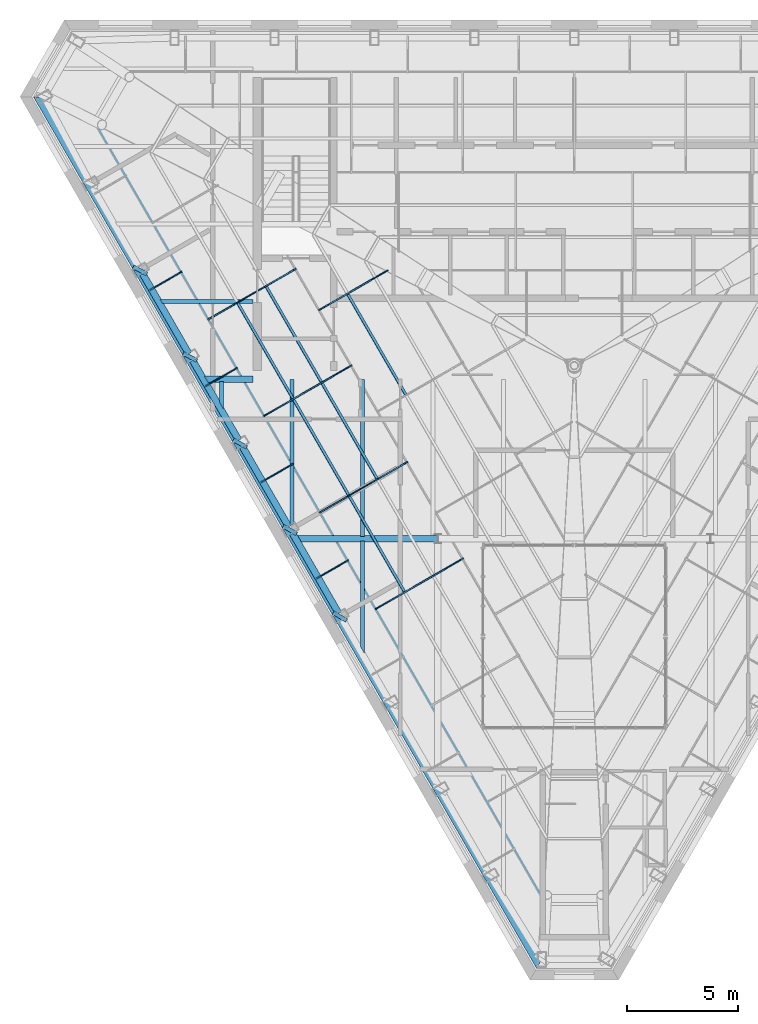
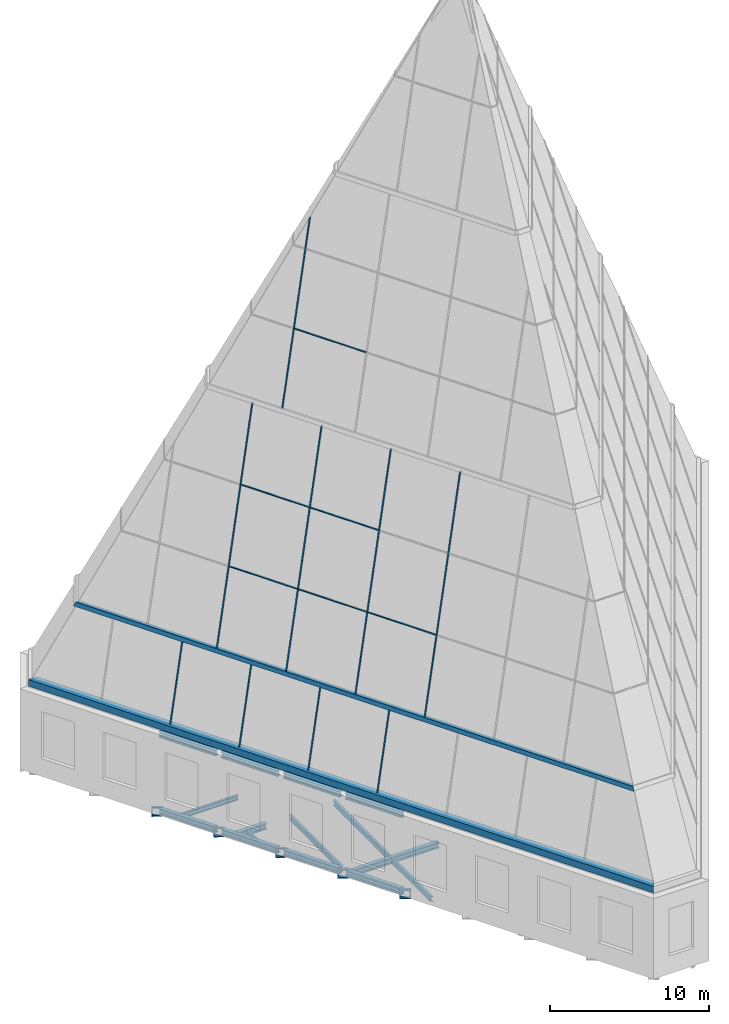
# One storey, part 9 of 36: 20 beams, 17 members, 3 elements without a shape of their own.
"""IFC4 building model written with IfcOpenShell, lengths in metres."""

from ifc_helpers import new_model, si_unit, direction, frame, origin, origin_2d, place, context, subcontext, project, spatial, rectangle, hollow_rectangle, i_section, extrude, clip, halfspace, material, layer, layer_set, material_profile, profile_set, type_object, element, aggregate, save


model = new_model("IFC4")

# Units and contexts
model_context = context("Model", 3, precision=1e-05, world=origin(), true_north=direction((0.0, 1.0)))
body_context = subcontext(model_context, "Body", "Model", "MODEL_VIEW")
ifc_project = project(units=[si_unit("LENGTHUNIT", "METRE"), si_unit("AREAUNIT", "SQUARE_METRE"), si_unit("VOLUMEUNIT", "CUBIC_METRE"), si_unit("PLANEANGLEUNIT", "RADIAN"), si_unit("MASSUNIT", "GRAM", prefix="KILO")], contexts=[model_context])

# Site, building, storey
site_placement = place(None, origin())
site = spatial("IfcSite", under=ifc_project, at=site_placement, CompositionType="ELEMENT")
building_placement = place(site_placement, origin())
building = spatial("IfcBuilding", under=site, at=building_placement, Name="Njiva Tower", CompositionType="ELEMENT")
storey_placement = place(building_placement, frame((0.0, 0.0, 337.8)))
storey = spatial("IfcBuildingStorey", under=building, at=storey_placement, Name="L77", CompositionType="ELEMENT", Elevation=337.8)

# Beams
ifc_material_1 = material(Name="Steel S355 J2", Category="steel")
ifc_material_profile_1 = material_profile(ifc_material_1, hollow_rectangle(XDim=0.7, YDim=0.7, WallThickness=0.08, at=origin_2d()), Name="BOX 700x700x80")
ifc_profile_set_1 = profile_set([ifc_material_profile_1], Name="Steel S355 J2")
beam_type_1 = type_object("IfcBeamType", Name="B19 Column jog beam BOX 700x700x80", PredefinedType="BEAM", material=ifc_profile_set_1)
for number, where, z_axis, x_axis, name in (
    (1, (-19.623, 8.825, -0.55), (0.465278652081, 0.885164264935, 0.0), (-0.885164264935, 0.465278652081, 0.0), "Column jog beam CR-B015"),
    (2, (-17.369, 4.922, -0.55), (0.465278652081, 0.885164264935, 0.0), (-0.885164264935, 0.465278652081, 0.0), "Column jog beam CR-B016"),
):
    element("IfcBeam", number, at=place(storey_placement, frame(where, z_axis=z_axis, x_axis=x_axis)), inside=storey, type_object=beam_type_1, Name=name, PredefinedType="BEAM", context=body_context, shape_type="SweptSolid", body=[
        extrude(hollow_rectangle(XDim=0.7, YDim=0.7, WallThickness=0.08, at=origin_2d()), origin(), (0.0, 0.0, 1.0), 0.1762),
    ])
beam_1_placement = place(storey_placement, frame((-15.117, 1.021, -0.55), z_axis=(0.48807872801, 0.872799607736, 0.0), x_axis=(-0.872799607736, 0.48807872801, 0.0)))
element("IfcBeam", 3, at=beam_1_placement, inside=storey, type_object=beam_type_1, Name="Column jog beam CR-B017", PredefinedType="BEAM", context=body_context, shape_type="SweptSolid", body=[
    extrude(hollow_rectangle(XDim=0.7, YDim=0.7, WallThickness=0.08, at=origin_2d()), origin(), (0.0, 0.0, 1.0), 0.1742),
])
for number, where, z_axis, x_axis, name in (
    (4, (-12.866, -2.882, -0.55), (0.511983827129, 0.858995087738, 0.0), (-0.858995087738, 0.511983827129, 0.0), "Column jog beam CR-B018"),
    (5, (-10.612, -6.785, -0.55), (0.511983827129, 0.858995087738, 0.0), (-0.858995087738, 0.511983827129, 0.0), "Column jog beam CR-B019"),
):
    element("IfcBeam", number, at=place(storey_placement, frame(where, z_axis=z_axis, x_axis=x_axis)), inside=storey, type_object=beam_type_1, Name=name, PredefinedType="BEAM", context=body_context, shape_type="SweptSolid", body=[
        extrude(hollow_rectangle(XDim=0.7, YDim=0.7, WallThickness=0.08, at=origin_2d()), origin(), (0.0, 0.0, 1.0), 0.1758),
    ])
ifc_material_profile_2 = material_profile(ifc_material_1, i_section(OverallWidth=0.3, OverallDepth=0.44, WebThickness=0.0115, FlangeThickness=0.021, at=origin_2d()), Name="HEA 450")
ifc_profile_set_2 = profile_set([ifc_material_profile_2], Name="Steel S355 J2")
beam_type_2 = type_object("IfcBeamType", Name="B57 Short-span spandrel beam HEA 450", PredefinedType="SPANDREL", material=ifc_profile_set_2)
beam_2_placement = place(storey_placement, frame((-19.466, 8.751, -0.42), z_axis=(0.49999308822, -0.866029394266, 0.0), x_axis=(0.866029394266, 0.49999308822, 0.0)))
element("IfcBeam", 6, at=beam_2_placement, inside=storey, type_object=beam_type_2, Name="Short-span spandrel beam CR-B091", PredefinedType="SPANDREL", context=body_context, shape_type="SweptSolid", body=[
    extrude(i_section(OverallWidth=0.3, OverallDepth=0.44, WebThickness=0.0115, FlangeThickness=0.021, at=origin_2d()), origin(), (0.0, 0.0, 1.0), 4.1581),
])
beam_3_placement = place(storey_placement, frame((-17.212, 4.847, -0.42), z_axis=(0.500021003115, -0.866013277291, 0.0), x_axis=(0.866013277291, 0.500021003115, 0.0)))
element("IfcBeam", 7, at=beam_3_placement, inside=storey, type_object=beam_type_2, Name="Short-span spandrel beam CR-B093", PredefinedType="SPANDREL", context=body_context, shape_type="SweptSolid", body=[
    extrude(i_section(OverallWidth=0.3, OverallDepth=0.44, WebThickness=0.0115, FlangeThickness=0.021, at=origin_2d()), origin(), (0.0, 0.0, 1.0), 4.1558),
])
for number, where, z_axis, x_axis, name in (
    (8, (-14.959, 0.945, -0.42), (0.499916824138, -0.866073420066, 0.0), (0.866073420066, 0.499916824138, 0.0), "Short-span spandrel beam CR-B094"),
    (9, (-12.706, -2.958, -0.42), (0.499916824138, -0.866073420066, 0.0), (0.866073420066, 0.499916824138, 0.0), "Short-span spandrel beam CR-B096"),
):
    element("IfcBeam", number, at=place(storey_placement, frame(where, z_axis=z_axis, x_axis=x_axis)), inside=storey, type_object=beam_type_2, Name=name, PredefinedType="SPANDREL", context=body_context, shape_type="SweptSolid", body=[
        extrude(i_section(OverallWidth=0.3, OverallDepth=0.44, WebThickness=0.0115, FlangeThickness=0.021, at=origin_2d()), origin(), (0.0, 0.0, 1.0), 4.1567),
    ])
ifc_material_profile_3 = material_profile(ifc_material_1, i_section(OverallWidth=0.3, OverallDepth=0.44, WebThickness=0.0115, FlangeThickness=0.021, at=origin_2d()), Name="HEA 450")
ifc_profile_set_3 = profile_set([ifc_material_profile_3], Name="Steel S355 J2")
beam_type_3 = type_object("IfcBeamType", Name="B58 Floor girder HEA 450", PredefinedType="BEAM", material=ifc_profile_set_3)
beam_4_placement = place(storey_placement, frame((-12.558, -3.2, -0.42), z_axis=(1.0, 0.0, 0.0), x_axis=(0.0, 1.0, 0.0)))
element("IfcBeam", 10, at=beam_4_placement, inside=storey, type_object=beam_type_3, Name="Floor girder CR-B010", PredefinedType="BEAM", context=body_context, shape_type="Clipping", body=[
    clip(extrude(i_section(OverallWidth=0.3, OverallDepth=0.44, WebThickness=0.0115, FlangeThickness=0.021, at=origin_2d()), origin(), (0.0, 0.0, 1.0), 6.408), halfspace(frame((-0.025, 0.0, 0.1217), z_axis=(-0.499998009787, 0.0, -0.866026552831), x_axis=(0.0, -1.0, 0.0)), False)),
])
ifc_material_profile_4 = material_profile(ifc_material_1, i_section(OverallWidth=0.3, OverallDepth=0.44, WebThickness=0.0115, FlangeThickness=0.021, at=origin_2d()), Name="HEA 450")
ifc_profile_set_4 = profile_set([ifc_material_profile_4], Name="Steel S355 J2")
beam_type_4 = type_object("IfcBeamType", Name="B59 Short-span floor girder HEA 450", PredefinedType="BEAM", material=ifc_profile_set_4)
beam_5_placement = place(storey_placement, frame((-16.715, 4.0, -0.42), z_axis=(1.0, 0.0, 0.0), x_axis=(0.0, 1.0, 0.0)))
element("IfcBeam", 11, at=beam_5_placement, inside=storey, type_object=beam_type_4, Name="Short-span floor girder CR-B009", PredefinedType="BEAM", context=body_context, shape_type="Clipping", body=[
    clip(extrude(i_section(OverallWidth=0.3, OverallDepth=0.44, WebThickness=0.0115, FlangeThickness=0.021, at=origin_2d()), origin(), (0.0, 0.0, 1.0), 2.215), halfspace(frame((-0.025, 0.0, 0.1217), z_axis=(-0.499998009787, 0.0, -0.866026552831), x_axis=(0.0, -1.0, 0.0)), False)),
])
ifc_material_profile_5 = material_profile(ifc_material_1, i_section(OverallWidth=0.17, OverallDepth=0.36, WebThickness=0.008, FlangeThickness=0.0127, at=origin_2d()), Name="IPE 360")
ifc_profile_set_5 = profile_set([ifc_material_profile_5], Name="Steel S355 J2")
beam_type_5 = type_object("IfcBeamType", Name="B60 Short-span floor beam to the core IPE 360", PredefinedType="BEAM", material=ifc_profile_set_5)
beam_6_placement = place(storey_placement, frame((-18.697, 7.5, -0.38), z_axis=(1.0, 0.0, 0.0), x_axis=(0.0, 1.0, 0.0)))
element("IfcBeam", 12, at=beam_6_placement, inside=storey, type_object=beam_type_5, Name="Short-span floor beam to the core CR-B004", PredefinedType="BEAM", context=body_context, shape_type="Clipping", body=[
    clip(extrude(i_section(OverallWidth=0.17, OverallDepth=0.36, WebThickness=0.008, FlangeThickness=0.0127, at=origin_2d()), origin(), (0.0, 0.0, 1.0), 4.197), halfspace(frame((-0.025, 0.0, 0.083), z_axis=(-0.499998009787, 0.0, -0.866026552831), x_axis=(0.0, -1.0, 0.0)), False)),
])
ifc_material_profile_6 = material_profile(ifc_material_1, i_section(OverallWidth=0.18, OverallDepth=0.4, WebThickness=0.0086, FlangeThickness=0.0135, at=origin_2d()), Name="IPE 400")
ifc_profile_set_6 = profile_set([ifc_material_profile_6], Name="Steel S355 J2")
beam_type_6 = type_object("IfcBeamType", Name="B62 Short-span floor joist IPE 400", PredefinedType="JOIST", material=ifc_profile_set_6)
beam_7_placement = place(storey_placement, frame((-15.917, 3.9, -0.4), z_axis=(0.0, -1.0, 0.0), x_axis=(1.0, 0.0, 0.0)))
element("IfcBeam", 13, at=beam_7_placement, inside=storey, type_object=beam_type_6, Name="Short-span floor joist CR-B035", PredefinedType="JOIST", context=body_context, shape_type="Clipping", body=[
    clip(extrude(i_section(OverallWidth=0.18, OverallDepth=0.4, WebThickness=0.0086, FlangeThickness=0.0135, at=origin_2d()), origin(), (0.0, 0.0, 1.0), 1.273), halfspace(frame((-0.043, 0.0, 1.0219), z_axis=(-0.866026552831, 0.0, 0.499998009787), x_axis=(0.0, 1.0, 0.0)), False)),
])
ifc_material_profile_7 = material_profile(ifc_material_1, i_section(OverallWidth=0.18, OverallDepth=0.4, WebThickness=0.0086, FlangeThickness=0.0135, at=origin_2d()), Name="IPE 400")
ifc_profile_set_7 = profile_set([ifc_material_profile_7], Name="Steel S355 J2")
beam_type_7 = type_object("IfcBeamType", Name="B63 Floor joist IPE 400", PredefinedType="JOIST", material=ifc_profile_set_7)
beam_8_placement = place(storey_placement, frame((-12.733, 3.995, -0.4), z_axis=(0.0, -1.0, 0.0), x_axis=(1.0, 0.0, 0.0)))
element("IfcBeam", 14, at=beam_8_placement, inside=storey, type_object=beam_type_7, Name="Floor joist CR-B036", PredefinedType="JOIST", context=body_context, shape_type="Clipping", body=[
    clip(extrude(i_section(OverallWidth=0.18, OverallDepth=0.4, WebThickness=0.0086, FlangeThickness=0.0135, at=origin_2d()), origin(), (0.0, 0.0, 1.0), 6.636), halfspace(frame((0.0247, 0.0, 6.5498), z_axis=(0.499998009787, 0.0, 0.866026552831), x_axis=(0.0, 1.0, 0.0)), False)),
])
beam_9_placement = place(storey_placement, frame((-9.55, 3.995, -0.4), z_axis=(0.0, -1.0, 0.0), x_axis=(1.0, 0.0, 0.0)))
element("IfcBeam", 15, at=beam_9_placement, inside=storey, type_object=beam_type_7, Name="Floor joist CR-B038", PredefinedType="JOIST", context=body_context, shape_type="SweptSolid", body=[
    extrude(i_section(OverallWidth=0.18, OverallDepth=0.4, WebThickness=0.0086, FlangeThickness=0.0135, at=origin_2d()), origin(), (0.0, 0.0, 1.0), 7.095),
])
beam_10_placement = place(storey_placement, frame((-9.55, -3.3, -0.4), z_axis=(0.0, -1.0, 0.0), x_axis=(1.0, 0.0, 0.0)))
element("IfcBeam", 16, at=beam_10_placement, inside=storey, type_object=beam_type_7, Name="Floor joist CR-B037", PredefinedType="JOIST", context=body_context, shape_type="Clipping", body=[
    clip(extrude(i_section(OverallWidth=0.18, OverallDepth=0.4, WebThickness=0.0086, FlangeThickness=0.0135, at=origin_2d()), origin(), (0.0, 0.0, 1.0), 5.1), halfspace(frame((-0.0433, 0.0, 4.8493), z_axis=(-0.866026552831, 0.0, 0.499998009787), x_axis=(0.0, 1.0, 0.0)), False)),
])
ifc_material_profile_8 = material_profile(ifc_material_1, i_section(OverallWidth=0.3, OverallDepth=0.44, WebThickness=0.0115, FlangeThickness=0.021, at=origin_2d()), Name="HEA 450")
ifc_profile_set_8 = profile_set([ifc_material_profile_8], Name="Steel S355 J2")
beam_type_8 = type_object("IfcBeamType", Name="B64 Roof edge beam HEA 450", PredefinedType="SPANDREL", material=ifc_profile_set_8)
beam_11_placement = place(storey_placement, frame((-19.466, 8.751, 5.48), z_axis=(0.49999308822, -0.866029394266, 0.0), x_axis=(0.866029394266, 0.49999308822, 0.0)))
element("IfcBeam", 17, at=beam_11_placement, inside=storey, type_object=beam_type_8, Name="Roof edge beam CR-B058", PredefinedType="SPANDREL", context=body_context, shape_type="SweptSolid", body=[
    extrude(i_section(OverallWidth=0.3, OverallDepth=0.44, WebThickness=0.0115, FlangeThickness=0.021, at=origin_2d()), origin(), (0.0, 0.0, 1.0), 4.1581),
])
beam_12_placement = place(storey_placement, frame((-17.212, 4.847, 5.48), z_axis=(0.500021003115, -0.866013277291, 0.0), x_axis=(0.866013277291, 0.500021003115, 0.0)))
element("IfcBeam", 18, at=beam_12_placement, inside=storey, type_object=beam_type_8, Name="Roof edge beam CR-B060", PredefinedType="SPANDREL", context=body_context, shape_type="SweptSolid", body=[
    extrude(i_section(OverallWidth=0.3, OverallDepth=0.44, WebThickness=0.0115, FlangeThickness=0.021, at=origin_2d()), origin(), (0.0, 0.0, 1.0), 4.1558),
])
for number, where, z_axis, x_axis, name in (
    (19, (-14.959, 0.945, 5.48), (0.499916824138, -0.866073420066, 0.0), (0.866073420066, 0.499916824138, 0.0), "Roof edge beam CR-B061"),
    (20, (-12.706, -2.958, 5.48), (0.499916824138, -0.866073420066, 0.0), (0.866073420066, 0.499916824138, 0.0), "Roof edge beam CR-B063"),
):
    element("IfcBeam", number, at=place(storey_placement, frame(where, z_axis=z_axis, x_axis=x_axis)), inside=storey, type_object=beam_type_8, Name=name, PredefinedType="SPANDREL", context=body_context, shape_type="SweptSolid", body=[
        extrude(i_section(OverallWidth=0.3, OverallDepth=0.44, WebThickness=0.0115, FlangeThickness=0.021, at=origin_2d()), origin(), (0.0, 0.0, 1.0), 4.1567),
    ])

# Members
ifc_material_2 = material(Name="Steel S355 J2H", Category="steel")
ifc_material_profile_9 = material_profile(ifc_material_2, hollow_rectangle(XDim=0.55, YDim=0.5, WallThickness=0.016, at=origin_2d()), Name="BOX 500x550x16")
ifc_profile_set_9 = profile_set([ifc_material_profile_9], Name="Steel S355 J2H")
member_type_1 = type_object("IfcMemberType", Name="CF1 Crown frame base ring RHS 500x550x16", PredefinedType="USERDEFINED", material=ifc_profile_set_9)
member_1_placement = place(storey_placement, frame((-24.3762, 17.2555, 6.25), z_axis=(0.499999368929, -0.866025768133, 0.0), x_axis=(0.866025768133, 0.499999368929, 0.0)))
element("IfcMember", 21, at=member_1_placement, inside=storey, type_object=member_type_1, Name="Crown frame base ring", ObjectType="CROWN FRAME", PredefinedType="USERDEFINED", context=body_context, shape_type="Clipping", body=[
    clip(clip(extrude(hollow_rectangle(XDim=0.55, YDim=0.5, WallThickness=0.016, at=origin_2d()), origin(), (0.0, 0.0, 1.0), 46.2763), halfspace(frame((0.0, 0.0, 0.6), z_axis=(0.499999368929, 0.0, -0.866025768133), x_axis=(0.0, -1.0, 0.0)), False)), halfspace(frame((0.0, 0.0, 45.6762), z_axis=(0.500000631164, 0.0, 0.866025039381), x_axis=(0.0, 1.0, 0.0)), False)),
])
ifc_material_profile_10 = material_profile(ifc_material_2, hollow_rectangle(XDim=0.3, YDim=0.4, WallThickness=0.016, at=origin_2d()), Name="BOX 400x300x16")
ifc_profile_set_10 = profile_set([ifc_material_profile_10], Name="Steel S355 J2H")
member_type_2 = type_object("IfcMemberType", Name="CF3 Crown frame ring RHS 400x300x16", PredefinedType="USERDEFINED", material=ifc_profile_set_10)
member_2_placement = place(storey_placement, frame((-21.8561, 15.9864, 12.1), z_axis=(0.500000571292, -0.866025073949, 0.0), x_axis=(0.230733747528, 0.133214394191, 0.963854689739)))
element("IfcMember", 22, at=member_2_placement, inside=storey, type_object=member_type_2, Name="Crown frame ring", ObjectType="CROWN FRAME", PredefinedType="USERDEFINED", context=body_context, shape_type="Clipping", body=[
    clip(clip(extrude(hollow_rectangle(XDim=0.3, YDim=0.4, WallThickness=0.016, at=origin_2d()), origin(), (0.0, 0.0, 1.0), 41.558), halfspace(frame((0.0, 0.0, 0.6), z_axis=(0.331224592283, -0.474208743406, -0.815730554254), x_axis=(0.0, -0.864531688113, 0.502578312552)), False)), halfspace(frame((0.0, 0.0, 40.958), z_axis=(0.331224305673, -0.474207706502, 0.815731273414), x_axis=(0.0, 0.864532358111, 0.502577160026)), False)),
])

# Curtain wall, members
ifc_material_3 = material(Name="Glazed curtain wall", Category="glass")
ifc_layer = layer(ifc_material_3, 0.16)
ifc_layer_set = layer_set([ifc_layer], Name="Glazed curtain wall")
curtain_wall_type = type_object("IfcCurtainWallType", Name="CW2 Crown glazing, faceted point, long faces", PredefinedType="NOTDEFINED", material=ifc_layer_set)
curtain_wall_1_placement = place(storey_placement, origin())
curtain_wall_1 = element("IfcCurtainWall", 23, at=curtain_wall_1_placement, inside=storey, type_object=curtain_wall_type, Name="Crown glazing face SW tier 1", PredefinedType="NOTDEFINED")
ifc_material_4 = material(Name="Aluminium mullion", Category="aluminium")
ifc_material_profile_11 = material_profile(ifc_material_4, rectangle(XDim=0.16, YDim=0.06, at=origin_2d()), Name="RECT 160x60")
ifc_profile_set_11 = profile_set([ifc_material_profile_11], Name="Aluminium mullion")
member_type_3 = type_object("IfcMemberType", Name="CW2-M Crown glazing mullion 160x60", PredefinedType="MULLION", material=ifc_profile_set_11)
member_3_placement = place(storey_placement, frame((-19.0678, 8.061, 6.5), z_axis=(0.230742261373, 0.133215670042, 0.963852475264), x_axis=(-0.834726112418, -0.481916913295, 0.266436495113)))
member_3 = element("IfcMember", 24, at=member_3_placement, type_object=member_type_3, Name="CW2-31 mullion 2", PredefinedType="MULLION", context=body_context, shape_type="Clipping", body=[
    clip(clip(extrude(rectangle(XDim=0.16, YDim=0.06, at=origin_2d()), origin(), (0.0, 0.0, 1.0), 5.66), halfspace(frame((0.08, 0.0, 0.0), z_axis=(-8.311998e-06, 2.976376e-06, -0.999999999961), x_axis=(0.0, -0.999999999996, -2.976376e-06)), False)), halfspace(frame((0.08, 0.0, 5.66), z_axis=(8.311998e-06, -2.976376e-06, 0.999999999961), x_axis=(0.0, 0.999999999996, 2.976376e-06)), False)),
])
member_4_placement = place(storey_placement, frame((-16.5635, 3.7235, 6.5), z_axis=(0.230725534082, 0.133216213108, 0.963856404496), x_axis=(-0.834713535754, -0.481946554835, 0.266422280435)))
member_4 = element("IfcMember", 25, at=member_4_placement, type_object=member_type_3, Name="CW2-31 mullion 3", PredefinedType="MULLION", context=body_context, shape_type="Clipping", body=[
    clip(clip(extrude(rectangle(XDim=0.16, YDim=0.06, at=origin_2d()), origin(), (0.0, 0.0, 1.0), 5.66), halfspace(frame((0.08, 0.0, 0.0), z_axis=(6.4357e-06, -5.857625e-06, -0.999999999962), x_axis=(0.0, -0.999999999983, 5.857625e-06)), False)), halfspace(frame((0.08, 0.0, 5.66), z_axis=(-6.4357e-06, 5.857625e-06, 0.999999999962), x_axis=(0.0, 0.999999999983, -5.857625e-06)), False)),
])
member_5_placement = place(storey_placement, frame((-14.0593, -0.614, 6.5), z_axis=(0.230742261373, 0.133215670042, 0.963852475264), x_axis=(-0.834726112418, -0.481916913295, 0.266436495113)))
member_5 = element("IfcMember", 26, at=member_5_placement, type_object=member_type_3, Name="CW2-31 mullion 4", PredefinedType="MULLION", context=body_context, shape_type="Clipping", body=[
    clip(clip(extrude(rectangle(XDim=0.16, YDim=0.06, at=origin_2d()), origin(), (0.0, 0.0, 1.0), 5.66), halfspace(frame((0.08, 0.0, 0.0), z_axis=(-8.311998e-06, 2.976376e-06, -0.999999999961), x_axis=(0.0, -0.999999999996, -2.976376e-06)), False)), halfspace(frame((0.08, -0.0001, 5.66), z_axis=(8.311998e-06, -2.976376e-06, 0.999999999961), x_axis=(0.0, 0.999999999996, 2.976376e-06)), False)),
])
member_6_placement = place(storey_placement, frame((-11.5551, -4.9514, 6.5), z_axis=(0.230742261373, 0.133215670042, 0.963852475264), x_axis=(-0.834726112418, -0.481916913295, 0.266436495113)))
member_6 = element("IfcMember", 27, at=member_6_placement, type_object=member_type_3, Name="CW2-31 mullion 5", PredefinedType="MULLION", context=body_context, shape_type="Clipping", body=[
    clip(clip(extrude(rectangle(XDim=0.16, YDim=0.06, at=origin_2d()), origin(), (0.0, 0.0, 1.0), 5.66), halfspace(frame((0.08, 0.0, 0.0), z_axis=(-8.311998e-06, 2.976376e-06, -0.999999999961), x_axis=(0.0, -0.999999999996, -2.976376e-06)), False)), halfspace(frame((0.08, 0.0, 5.66), z_axis=(8.311998e-06, -2.976376e-06, 0.999999999961), x_axis=(0.0, 0.999999999996, 2.976376e-06)), False)),
])
aggregate(curtain_wall_1, [member_3, member_4, member_5, member_6])

curtain_wall_2_placement = place(storey_placement, origin())
curtain_wall_2 = element("IfcCurtainWall", 28, at=curtain_wall_2_placement, inside=storey, type_object=curtain_wall_type, Name="Crown glazing face SW tier 2", PredefinedType="NOTDEFINED")
member_7_placement = place(storey_placement, frame((-16.4615, 6.7227, 12.2446), z_axis=(0.230733479971, 0.133210041357, 0.963855355384), x_axis=(-0.834729482161, -0.481916836928, 0.266426075859)))
member_7 = element("IfcMember", 29, at=member_7_placement, type_object=member_type_3, Name="CW2-32 mullion 2", PredefinedType="MULLION", context=body_context, shape_type="Clipping", body=[
    clip(clip(extrude(rectangle(XDim=0.16, YDim=0.06, at=origin_2d()), origin(), (0.0, 0.0, 1.0), 16.715), halfspace(frame((0.08, 0.0, 0.0), z_axis=(2.49799e-06, 3.46038e-06, -0.999999999991), x_axis=(0.0, -0.999999999994, -3.46038e-06)), False)), halfspace(frame((0.08, 0.0, 16.715), z_axis=(-2.49799e-06, -3.46038e-06, 0.999999999991), x_axis=(0.0, 0.999999999994, 3.46038e-06)), False)),
])
member_8_placement = place(storey_placement, frame((-13.9468, 2.367, 12.2446), z_axis=(0.23073914412, 0.133209857472, 0.963854024862), x_axis=(-0.834733740382, -0.481906800025, 0.266430889269)))
member_8 = element("IfcMember", 30, at=member_8_placement, type_object=member_type_3, Name="CW2-32 mullion 3", PredefinedType="MULLION", context=body_context, shape_type="Clipping", body=[
    clip(clip(extrude(rectangle(XDim=0.16, YDim=0.06, at=origin_2d()), origin(), (0.0, 0.0, 1.0), 16.715), halfspace(frame((0.08, 0.0001, 0.0), z_axis=(-2.495981e-06, 6.451614e-06, -0.999999999976), x_axis=(0.0, -0.999999999979, -6.451614e-06)), False)), halfspace(frame((0.08, -0.0001, 16.715), z_axis=(2.495981e-06, -6.451614e-06, 0.999999999976), x_axis=(0.0, 0.999999999979, 6.451614e-06)), False)),
])
member_9_placement = place(storey_placement, frame((-11.432, -1.9887, 12.2446), z_axis=(0.230733479971, 0.133210041357, 0.963855355384), x_axis=(-0.834729482161, -0.481916836928, 0.266426075859)))
member_9 = element("IfcMember", 31, at=member_9_placement, type_object=member_type_3, Name="CW2-32 mullion 4", PredefinedType="MULLION", context=body_context, shape_type="Clipping", body=[
    clip(clip(extrude(rectangle(XDim=0.16, YDim=0.06, at=origin_2d()), origin(), (0.0, 0.0, 1.0), 16.715), halfspace(frame((0.08, 0.0, 0.0), z_axis=(2.49799e-06, 3.46038e-06, -0.999999999991), x_axis=(0.0, -0.999999999994, -3.46038e-06)), False)), halfspace(frame((0.08, 0.0, 16.715), z_axis=(-2.49799e-06, -3.46038e-06, 0.999999999991), x_axis=(0.0, 0.999999999994, 3.46038e-06)), False)),
])
member_10_placement = place(storey_placement, frame((-8.9172, -6.3444, 12.2446), z_axis=(0.230733296083, 0.133215917854, 0.963854587222), x_axis=(-0.834719445041, -0.481932685527, 0.26642885484)))
member_10 = element("IfcMember", 32, at=member_10_placement, type_object=member_type_3, Name="CW2-32 mullion 5", PredefinedType="MULLION", context=body_context, shape_type="Clipping", body=[
    clip(clip(extrude(rectangle(XDim=0.16, YDim=0.06, at=origin_2d()), origin(), (0.0, 0.0, 1.0), 16.715), halfspace(frame((0.08, 0.0, 0.0), z_axis=(-3.85188e-07, -1.720788e-06, -0.999999999998), x_axis=(0.0, -0.999999999999, 1.720788e-06)), False)), halfspace(frame((0.08, 0.0, 16.715), z_axis=(3.85188e-07, 1.720788e-06, 0.999999999998), x_axis=(0.0, 0.999999999999, -1.720788e-06)), False)),
])

# Curtain wall, member
curtain_wall_3_placement = place(storey_placement, origin())
curtain_wall_3 = element("IfcCurtainWall", 33, at=curtain_wall_3_placement, inside=storey, type_object=curtain_wall_type, Name="Crown glazing face SW tier 3", PredefinedType="NOTDEFINED")
member_11_placement = place(storey_placement, frame((-11.4688, 7.1416, 28.6446), z_axis=(0.230732980377, 0.133218632255, 0.963854287632), x_axis=(-0.834714647889, -0.481940395056, 0.266429938659)))
member_11 = element("IfcMember", 34, at=member_11_placement, type_object=member_type_3, Name="CW2-33 mullion 1", PredefinedType="MULLION", context=body_context, shape_type="Clipping", body=[
    clip(clip(extrude(rectangle(XDim=0.16, YDim=0.06, at=origin_2d()), origin(), (0.0, 0.0, 1.0), 13.0124), halfspace(frame((0.08, 0.0, 0.0), z_axis=(-1.509678e-06, -4.229361e-06, -0.99999999999), x_axis=(0.0, -0.999999999991, 4.229361e-06)), False)), halfspace(frame((0.08, 0.0, 13.0125), z_axis=(-1.3609838e-05, -0.926530811354, 0.376218892968), x_axis=(0.0, 0.376218893003, 0.92653081144)), False)),
])

# Member
ifc_material_5 = material(Name="Aluminium transom", Category="aluminium")
ifc_material_profile_12 = material_profile(ifc_material_5, rectangle(XDim=0.12, YDim=0.06, at=origin_2d()), Name="RECT 120x60")
ifc_profile_set_12 = profile_set([ifc_material_profile_12], Name="Aluminium transom")
member_type_4 = type_object("IfcMemberType", Name="CW2-T Crown glazing transom 120x60", PredefinedType="USERDEFINED", material=ifc_profile_set_12)
member_12_placement = place(storey_placement, frame((-15.1776, 7.4293, 17.6202), z_axis=(0.499984894652, -0.866034124685, 0.0), x_axis=(-0.834731052552, -0.481912785509, 0.266428483965)))
member_12 = element("IfcMember", 35, at=member_12_placement, type_object=member_type_4, Name="CW2-32 transom 3.1", ObjectType="TRANSOM", PredefinedType="USERDEFINED", context=body_context, shape_type="SweptSolid", body=[
    extrude(rectangle(XDim=0.12, YDim=0.06, at=origin_2d()), origin(), (0.0, 0.0, 1.0), 4.9696),
])

member_13_placement = place(storey_placement, frame((-12.6629, 3.0736, 17.6202), z_axis=(0.499999986638, -0.866025411499, 0.0), x_axis=(-0.834722654306, -0.481927331991, 0.266428483965)))
member_13 = element("IfcMember", 36, at=member_13_placement, type_object=member_type_4, Name="CW2-32 transom 4.1", ObjectType="TRANSOM", PredefinedType="USERDEFINED", context=body_context, shape_type="SweptSolid", body=[
    extrude(rectangle(XDim=0.12, YDim=0.06, at=origin_2d()), origin(), (0.0, 0.0, 1.0), 4.9696),
])

member_14_placement = place(storey_placement, frame((-10.1481, -1.2821, 17.6202), z_axis=(0.499984894652, -0.866034124685, 0.0), x_axis=(-0.834731052552, -0.481912785509, 0.266428483965)))
member_14 = element("IfcMember", 37, at=member_14_placement, type_object=member_type_4, Name="CW2-32 transom 5.1", ObjectType="TRANSOM", PredefinedType="USERDEFINED", context=body_context, shape_type="SweptSolid", body=[
    extrude(rectangle(XDim=0.12, YDim=0.06, at=origin_2d()), origin(), (0.0, 0.0, 1.0), 4.9696),
])

member_15_placement = place(storey_placement, frame((-13.8921, 8.1715, 22.9905), z_axis=(0.500008699995, -0.866020380782, 0.0), x_axis=(-0.834717805426, -0.4819357304, 0.266428483965)))
member_15 = element("IfcMember", 38, at=member_15_placement, type_object=member_type_4, Name="CW2-32 transom 3.2", ObjectType="TRANSOM", PredefinedType="USERDEFINED", context=body_context, shape_type="SweptSolid", body=[
    extrude(rectangle(XDim=0.12, YDim=0.06, at=origin_2d()), origin(), (0.0, 0.0, 1.0), 4.9695),
])

member_16_placement = place(storey_placement, frame((-11.3773, 3.8158, 22.9905), z_axis=(0.499993607921, -0.866029094221, 0.0), x_axis=(-0.834726203916, -0.481921183835, 0.266428483965)))
member_16 = element("IfcMember", 39, at=member_16_placement, type_object=member_type_4, Name="CW2-32 transom 4.2", ObjectType="TRANSOM", PredefinedType="USERDEFINED", context=body_context, shape_type="SweptSolid", body=[
    extrude(rectangle(XDim=0.12, YDim=0.06, at=origin_2d()), origin(), (0.0, 0.0, 1.0), 4.9695),
])

aggregate(curtain_wall_2, [member_7, member_8, member_9, member_10, member_12, member_13, member_14, member_15, member_16])

member_17_placement = place(storey_placement, frame((-10.2169, 7.8298, 33.8869), z_axis=(0.500011895634, -0.866018535728, 0.0), x_axis=(-0.834716027067, -0.481938810534, 0.266428483949)))
member_17 = element("IfcMember", 40, at=member_17_placement, type_object=member_type_4, Name="CW2-33 transom 2.1", ObjectType="TRANSOM", PredefinedType="USERDEFINED", context=body_context, shape_type="SweptSolid", body=[
    extrude(rectangle(XDim=0.12, YDim=0.06, at=origin_2d()), origin(), (0.0, 0.0, 1.0), 5.2237),
])

aggregate(curtain_wall_3, [member_11, member_17])

save(model, "model.ifc")
